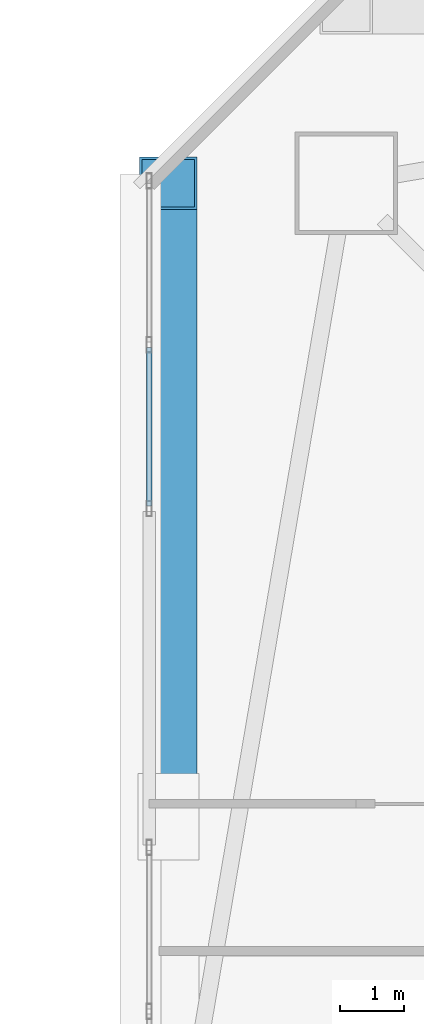
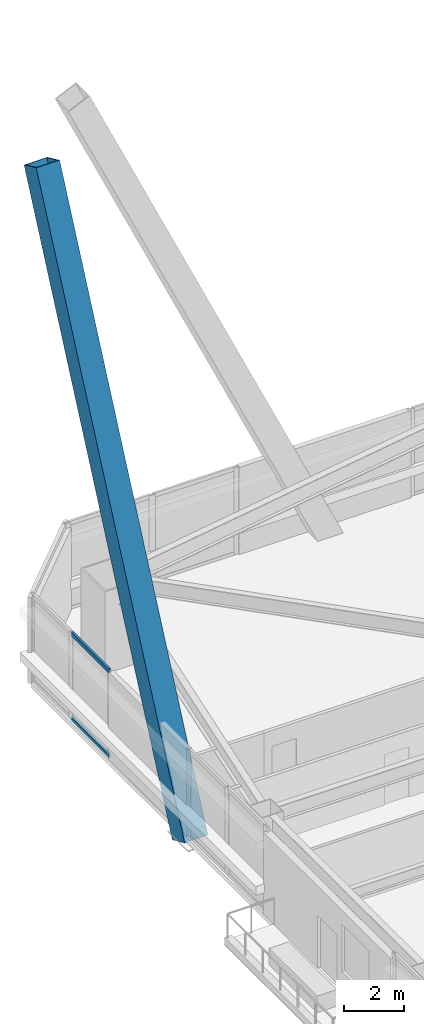
# One storey, part 18 of 75: 3 members, 1 element without a shape of its own.
"""IFC4 building model written with IfcOpenShell, lengths in metres."""

import ifcopenshell
import ifcopenshell.guid

model = None  # the IFC model being written
_history = None  # IfcOwnerHistory: only IFC2X3 demands one
_inside = {}  # id of a spatial element -> (the spatial element, [elements in it])
_under = {}  # id of a project, library or spatial element -> (it, [spatial elements below it])
_declared = {}  # id of a project -> (the project, [libraries it declares])
_typed = {}  # id of a type object -> (the type object, [elements of that type])
_made_of = {}  # id of a material, layer set ... -> (it, [elements and type objects made of it])


def new_model(schema):
    """Start an empty IFC model of exactly this schema.

    Asked for "IFC4X3", IfcOpenShell would pick the latest addendum, in which some entities
    have other attributes; the version numbers below select the first issue.
    IFC2X3 requires an IfcOwnerHistory on every rooted entity: one is made here for all.
    """
    global model, _history
    if schema == "IFC4X3":
        model = ifcopenshell.file(schema_version=(4, 3, 0, 0))
    else:
        model = ifcopenshell.file(schema=schema)
    _inside.clear()
    _under.clear()
    _declared.clear()
    _typed.clear()
    _made_of.clear()
    _history = None
    if model.schema == "IFC2X3":
        org = make("IfcOrganization", Name="unknown")
        user = make(
            "IfcPersonAndOrganization",
            ThePerson=make("IfcPerson", FamilyName="unknown"),
            TheOrganization=org,
        )
        app = make(
            "IfcApplication",
            ApplicationDeveloper=org,
            Version="unknown",
            ApplicationFullName="unknown",
            ApplicationIdentifier="unknown",
        )
        _history = make(
            "IfcOwnerHistory",
            OwningUser=user,
            OwningApplication=app,
            ChangeAction="ADDED",
            CreationDate=0,
        )
    return model


def make(cls, **values):
    """One entity of the class cls with the attributes given. An attribute that is None is left unset."""
    return model.create_entity(
        cls, **{name: value for name, value in values.items() if value is not None}
    )


def rooted(cls, **values):
    """An entity with a GlobalId (a new one), such as an element, a storey or a relation."""
    return make(cls, GlobalId=ifcopenshell.guid.new(), OwnerHistory=_history, **values)


def si_unit(unit_type, name, prefix=None):
    """IfcSIUnit, for example si_unit("LENGTHUNIT", "METRE", prefix="MILLI")."""
    return make("IfcSIUnit", UnitType=unit_type, Prefix=prefix, Name=name)


def assignment(units):
    """IfcUnitAssignment: the units of a project."""
    return None if units is None else make("IfcUnitAssignment", Units=units)


def point(xyz):
    """IfcCartesianPoint."""
    return None if xyz is None else make("IfcCartesianPoint", Coordinates=xyz)


def direction(xyz):
    """IfcDirection."""
    return None if xyz is None else make("IfcDirection", DirectionRatios=xyz)


def frame(location, z_axis=None, x_axis=None):
    """IfcAxis2Placement3D, a coordinate frame: its origin and axes. An axis left out is left unset."""
    return make(
        "IfcAxis2Placement3D",
        Location=point(location),
        Axis=direction(z_axis),
        RefDirection=direction(x_axis),
    )


def frame_2d(location, x_axis=None):
    """IfcAxis2Placement2D, a coordinate frame in the plane: its origin and x axis."""
    return make(
        "IfcAxis2Placement2D", Location=point(location), RefDirection=direction(x_axis)
    )


def origin():
    """The frame at (0, 0, 0) with its axes left unset."""
    return frame((0.0, 0.0, 0.0))


def origin_2d():
    """The frame at (0, 0) in the plane with its x axis left unset."""
    return frame_2d((0.0, 0.0))


def place(relative_to, where):
    """IfcLocalPlacement: puts the frame where relative to a parent placement (None: the world)."""
    return make(
        "IfcLocalPlacement", PlacementRelTo=relative_to, RelativePlacement=where
    )


def context(
    kind, dimensions, precision=None, world=None, true_north=None, identifier=None
):
    """IfcGeometricRepresentationContext, for example the 3D "Model" context."""
    return make(
        "IfcGeometricRepresentationContext",
        ContextIdentifier=identifier,
        ContextType=kind,
        CoordinateSpaceDimension=dimensions,
        Precision=precision,
        WorldCoordinateSystem=world,
        TrueNorth=true_north,
    )


def subcontext(parent, identifier, kind, view, scale=None):
    """IfcGeometricRepresentationSubContext, for example "Body" below "Model"."""
    return make(
        "IfcGeometricRepresentationSubContext",
        ContextIdentifier=identifier,
        ContextType=kind,
        ParentContext=parent,
        TargetScale=scale,
        TargetView=view,
    )


def project(units=None, contexts=None):
    """IfcProject with its units and contexts."""
    return rooted(
        "IfcProject",
        Name="project",
        RepresentationContexts=contexts,
        UnitsInContext=assignment(units),
    )


def spatial(cls, under=None, at=None, **own):
    """A site, building, storey or space (cls), placed at a placement, below another one or the project."""
    s = rooted(cls, ObjectPlacement=at, **own)
    if under is not None:
        _under.setdefault(under.id(), (under, []))[1].append(s)
    return s


def profile(cls, at=None, kind="AREA", **sizes):
    """A parametric profile (cls). Its sizes go by their IFC names, for example OverallWidth=200.0."""
    return make(cls, ProfileType=kind, Position=at, **sizes)


def hollow_rectangle(**sizes):
    """IfcRectangleHollowProfileDef."""
    return profile("IfcRectangleHollowProfileDef", **sizes)


def extrude(swept, where, along, depth):
    """IfcExtrudedAreaSolid: the profile swept, set in the frame where, extruded along a direction by depth."""
    return make(
        "IfcExtrudedAreaSolid",
        SweptArea=swept,
        Position=where,
        ExtrudedDirection=direction(along),
        Depth=depth,
    )


def shape(context_of_items, identifier, shape_type, items):
    """IfcShapeRepresentation: the items that make up one representation, for example the "Body"."""
    return make(
        "IfcShapeRepresentation",
        ContextOfItems=context_of_items,
        RepresentationIdentifier=identifier,
        RepresentationType=shape_type,
        Items=items,
    )


def material(Name=None, Category=None):
    """IfcMaterial."""
    return make("IfcMaterial", Name=Name, Category=Category)


def material_profile(
    of_material, cross_section, Name=None, Category=None, Priority=None
):
    """IfcMaterialProfile: a cross section and its material."""
    return make(
        "IfcMaterialProfile",
        Name=Name,
        Material=of_material,
        Profile=cross_section,
        Priority=Priority,
        Category=Category,
    )


def profile_set(profiles, Name=None, composite=None):
    """IfcMaterialProfileSet."""
    return make(
        "IfcMaterialProfileSet",
        Name=Name,
        MaterialProfiles=profiles,
        CompositeProfile=composite,
    )


def made_of(thing, what):
    """Note that an element or type object is made of a material, layer set ...; save() writes the relation."""
    if what is not None:
        _made_of.setdefault(what.id(), (what, []))[1].append(thing)
    return thing


def type_object(cls, material=None, **own):
    """A type object (cls), such as IfcWallType, which elements share."""
    return made_of(rooted(cls, **own), material)


def element(
    cls,
    number,
    at=None,
    inside=None,
    cuts=None,
    type_object=None,
    material=None,
    context=None,
    identifier="Body",
    shape_type=None,
    held_by="IfcProductDefinitionShape",
    body=None,
    shapes=None,
    **own,
):
    """One element of the class cls, such as IfcWall. Its Tag is "e" and its number.

    at: its placement. inside: the storey or other place that contains it. cuts: it is an
    opening in that element (IfcRelVoidsElement). A single representation is given by context,
    identifier, shape_type and body (its items); several are given by shapes. held_by: the class
    of the entity that holds the representations. save() writes the other relations.
    """
    e = rooted(cls, Tag="e%d" % number, ObjectPlacement=at, **own)
    if body is not None:
        shapes = [shape(context, identifier, shape_type, body)]
    if shapes is not None:
        e.Representation = make(held_by, Representations=shapes)
    if inside is not None:
        _inside.setdefault(inside.id(), (inside, []))[1].append(e)
    if cuts is not None:
        rooted(
            "IfcRelVoidsElement", RelatingBuildingElement=cuts, RelatedOpeningElement=e
        )
    if type_object is not None:
        _typed.setdefault(type_object.id(), (type_object, []))[1].append(e)
    return made_of(e, material)


def aggregate(whole, parts):
    """IfcRelAggregates: a whole, such as a stair, and the parts it consists of."""
    return rooted("IfcRelAggregates", RelatingObject=whole, RelatedObjects=parts)


def save(model, path):
    """Write the relations noted so far, then the file.

    IfcRelAggregates (storeys below a building ...), IfcRelContainedInSpatialStructure (elements
    in a storey), IfcRelDefinesByType, IfcRelAssociatesMaterial and IfcRelDeclares: one each for
    every whole, place, type object, material and project.
    """
    for whole, parts in _under.values():
        aggregate(whole, parts)
    for where, things in _inside.values():
        rooted(
            "IfcRelContainedInSpatialStructure",
            RelatedElements=things,
            RelatingStructure=where,
        )
    for kind, things in _typed.values():
        rooted("IfcRelDefinesByType", RelatedObjects=things, RelatingType=kind)
    for what, things in _made_of.values():
        rooted("IfcRelAssociatesMaterial", RelatedObjects=things, RelatingMaterial=what)
    for by, libraries in _declared.values():
        rooted("IfcRelDeclares", RelatingContext=by, RelatedDefinitions=libraries)
    model.write(path)


model = new_model("IFC4")

# Units and contexts
model_context = context("Model", 3, precision=1e-05, world=origin(), true_north=direction((0.0, 1.0)))
body_context = subcontext(model_context, "Body", "Model", "MODEL_VIEW")
ifc_project = project(units=[si_unit("LENGTHUNIT", "METRE"), si_unit("AREAUNIT", "SQUARE_METRE"), si_unit("VOLUMEUNIT", "CUBIC_METRE"), si_unit("PLANEANGLEUNIT", "RADIAN"), si_unit("MASSUNIT", "GRAM", prefix="KILO")], contexts=[model_context])

# Site, building, storey
site_placement = place(None, origin())
site = spatial("IfcSite", under=ifc_project, at=site_placement, CompositionType="ELEMENT")
building_placement = place(site_placement, origin())
building = spatial("IfcBuilding", under=site, at=building_placement, Name="Tashvorn Skyway Center", CompositionType="ELEMENT")
storey_placement = place(building_placement, frame((0.0, 0.0, 45.89990234375)))
storey = spatial("IfcBuildingStorey", under=building, at=storey_placement, Name="L11", CompositionType="ELEMENT", Elevation=45.89990234375)

# Curtain wall, members
ifc_material_1 = material(Name="Thermally broken bronze-anodized aluminium 6063-T6", Category="aluminium")
curtain_wall_type = type_object("IfcCurtainWallType", Name="CW-CW-Z1", PredefinedType="NOTDEFINED", material=ifc_material_1)
curtain_wall_placement = place(storey_placement, origin())
curtain_wall = element("IfcCurtainWall", 1, at=curtain_wall_placement, inside=storey, type_object=curtain_wall_type, Name="Tower 1 L11 West Curtain Wall R Glazing Group 2", PredefinedType="NOTDEFINED")
ifc_material_profile_1 = material_profile(ifc_material_1, hollow_rectangle(XDim=0.0849609375, YDim=0.1650390625, WallThickness=0.0048828125, at=origin_2d()), Name="ALU-TRAN-85x165")
ifc_profile_set_1 = profile_set([ifc_material_profile_1], Name="Thermally broken bronze-anodized aluminium 6063-T6")
member_type_1 = type_object("IfcMemberType", Name="CWT-CW-Z1", PredefinedType="USERDEFINED", material=ifc_profile_set_1)
member_1_placement = place(storey_placement, frame((19.1201171875, 46.7548828125, 0.04248046875), z_axis=(0.0, 1.0, 0.0), x_axis=(-1.0, 0.0, 0.0)))
member_1 = element("IfcMember", 2, at=member_1_placement, type_object=member_type_1, Name="CW-Z1 transom 1.1", ObjectType="TRANSOM", PredefinedType="USERDEFINED", context=body_context, shape_type="SweptSolid", body=[
    extrude(hollow_rectangle(XDim=0.0849609375, YDim=0.1650390625, WallThickness=0.0048828125, at=origin_2d()), origin(), (0.0, 0.0, 1.0), 2.4775390625),
])
member_2_placement = place(storey_placement, frame((19.1201171875, 46.7548828125, 3.507568359375), z_axis=(0.0, 1.0, 0.0), x_axis=(-1.0, 0.0, 0.0)))
member_2 = element("IfcMember", 3, at=member_2_placement, type_object=member_type_1, Name="CW-Z1 transom 1.2", ObjectType="TRANSOM", PredefinedType="USERDEFINED", context=body_context, shape_type="SweptSolid", body=[
    extrude(hollow_rectangle(XDim=0.0849609375, YDim=0.1650390625, WallThickness=0.0048828125, at=origin_2d()), origin(), (0.0, 0.0, 1.0), 2.4775390625),
])
aggregate(curtain_wall, [member_1, member_2])

# Member
ifc_material_2 = material(Name="Steel ASTM A572 Grade 50", Category="steel")
ifc_material_profile_2 = material_profile(ifc_material_2, hollow_rectangle(XDim=0.89990234375, YDim=0.89990234375, WallThickness=0.0400390625, at=origin_2d()), Name="BOX900x900x40")
ifc_profile_set_2 = profile_set([ifc_material_profile_2], Name="Steel ASTM A572 Grade 50")
member_type_2 = type_object("IfcMemberType", Name="MEM-MB-900", PredefinedType="BRACE", material=ifc_profile_set_2)
member_3_placement = place(storey_placement, frame((19.419921875, 41.89990234375, -0.449951171875), z_axis=(0.0, 0.418259378631, 0.908327634825), x_axis=(-1.0, 0.0, 0.0)))
element("IfcMember", 4, at=member_3_placement, inside=storey, type_object=member_type_2, Name="Tower 1 Zone 1 W Chevron Mega-Brace L2", PredefinedType="BRACE", context=body_context, shape_type="SweptSolid", body=[
    extrude(hollow_rectangle(XDim=0.89990234375, YDim=0.89990234375, WallThickness=0.0400390625, at=origin_2d()), origin(), (0.0, 0.0, 1.0), 23.669921875),
])

save(model, "model.ifc")
